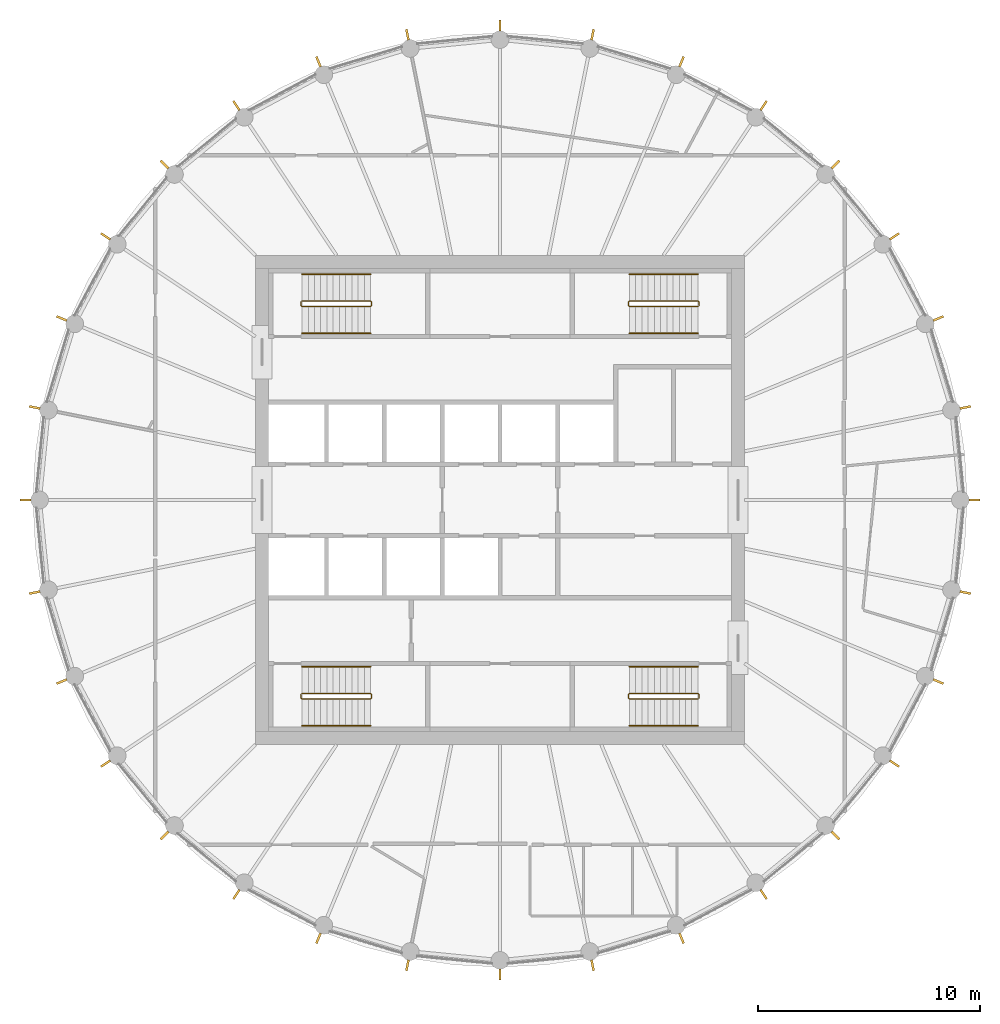
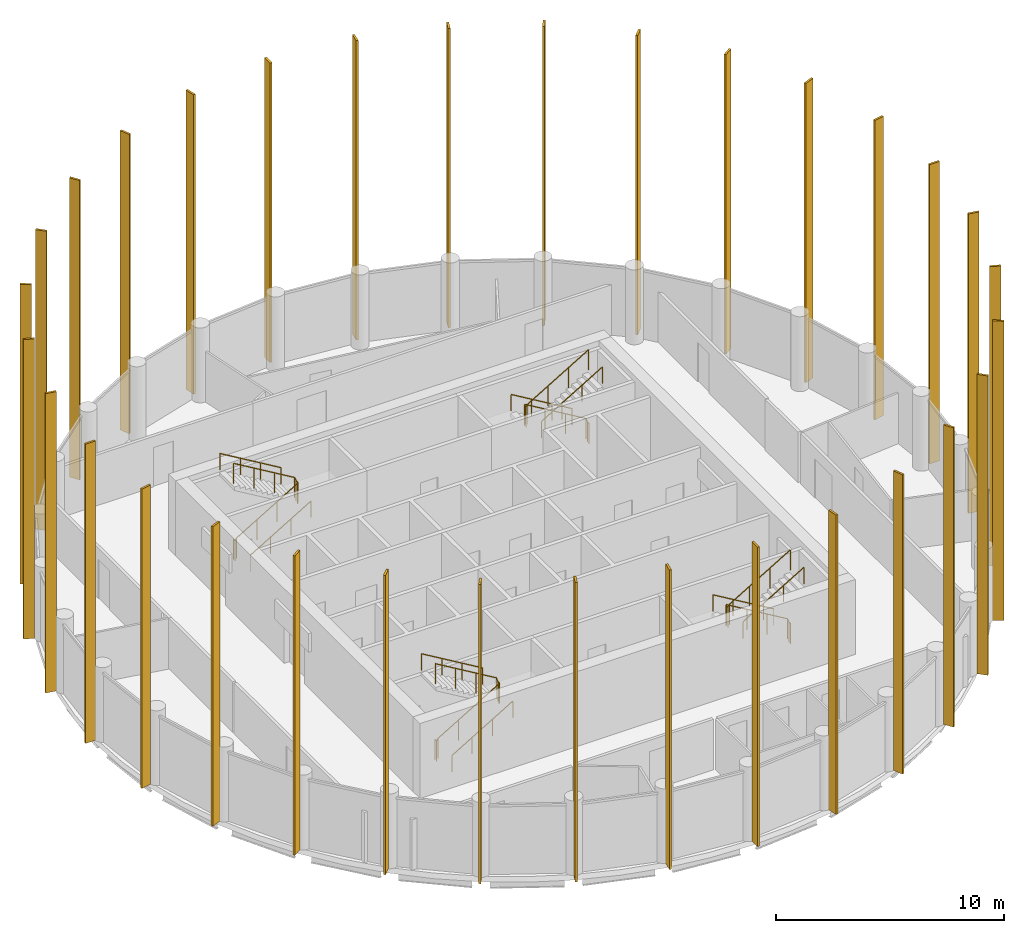
# One storey, part 7 of 7: 32 shading devices, 12 railings.
"""IFC4 building model written with IfcOpenShell, lengths in metres."""

from ifc_helpers import new_model, si_unit, direction, frame, origin, origin_2d, place, context, subcontext, project, spatial, rectangle, circle, extrude, material, material_profile, profile_set, type_object, element, save


model = new_model("IFC4")

# Units and contexts
model_context = context("Model", 3, precision=1e-05, world=origin(), true_north=direction((0.0, 1.0)))
body_context = subcontext(model_context, "Body", "Model", "MODEL_VIEW")
ifc_project = project(units=[si_unit("LENGTHUNIT", "METRE"), si_unit("AREAUNIT", "SQUARE_METRE"), si_unit("VOLUMEUNIT", "CUBIC_METRE"), si_unit("PLANEANGLEUNIT", "RADIAN"), si_unit("MASSUNIT", "GRAM", prefix="KILO")], contexts=[model_context])

# Site, building, storey
site_placement = place(None, origin())
site = spatial("IfcSite", under=ifc_project, at=site_placement, CompositionType="ELEMENT")
building_placement = place(site_placement, origin())
building = spatial("IfcBuilding", under=site, at=building_placement, Name="Corvane Civic Tower", CompositionType="ELEMENT")
storey_placement = place(building_placement, frame((0.0, 0.0, 340.5)))
storey = spatial("IfcBuildingStorey", under=building, at=storey_placement, Name="L81", CompositionType="ELEMENT", Elevation=340.5)

# Railings
ifc_material_1 = material(Name="Steel ASTM A572 Gr 50", Category="steel")
railing_type_1 = type_object("IfcRailingType", Name="ST-GUARD-1100", PredefinedType="GUARDRAIL", material=ifc_material_1)
railing_1_placement = place(storey_placement, frame((8.949951171875, 8.75, 0.0)))
element("IfcRailing", 1, at=railing_1_placement, inside=storey, type_object=railing_type_1, Name="L81 ST1 stair guard 1", PredefinedType="GUARDRAIL", context=body_context, shape_type="SweptSolid", body=[
    extrude(circle(Radius=0.02392578125, at=origin_2d()), frame((0.0, 0.0, 1.076171875), z_axis=(0.0, 1.0, 0.0), x_axis=(-1.0, 0.0, 0.0)), (0.0, 0.0, 1.0), 0.14990234375),
    extrude(circle(Radius=0.02392578125, at=origin_2d()), frame((0.0, 0.14990234375, 1.076171875), z_axis=(-0.27628659633, 0.27628659633, 0.920506074601), x_axis=(-0.707106781187, -0.707106781187, 0.0)), (0.0, 0.0, 1.0), 0.18115234375),
    extrude(circle(Radius=0.02392578125, at=origin_2d()), frame((-0.050048828125, 0.199951171875, 1.24267578125), z_axis=(-0.859290745958, 0.0, 0.51148745235), x_axis=(0.0, -1.0, 0.0)), (0.0, 0.0, 1.0), 3.584228515625),
    extrude(circle(Radius=0.02392578125, at=origin_2d()), frame((-3.1298828125, 0.199951171875, 3.076171875), z_axis=(-0.707106781187, -0.707106781187, 0.0), x_axis=(0.707106781187, -0.707106781187, 0.0)), (0.0, 0.0, 1.0), 0.07080078125),
    extrude(circle(Radius=0.02392578125, at=origin_2d()), frame((-3.179931640625, 0.14990234375, 3.076171875), z_axis=(0.0, -1.0, 0.0), x_axis=(1.0, 0.0, 0.0)), (0.0, 0.0, 1.0), 0.14990234375),
    extrude(circle(Radius=0.02392578125, at=origin_2d()), frame((-3.179931640625, 0.0, 3.076171875), z_axis=(0.27628659633, -0.27628659633, 0.920506074601), x_axis=(0.707106781187, 0.707106781187, 0.0)), (0.0, 0.0, 1.0), 0.18115234375),
    extrude(circle(Radius=0.02392578125, at=origin_2d()), frame((-3.1298828125, -0.050048828125, 3.24267578125), z_axis=(0.859290745958, 0.0, 0.51148745235), x_axis=(0.0, 1.0, 0.0)), (0.0, 0.0, 1.0), 3.584228515625),
    extrude(circle(Radius=0.02099609375, at=origin_2d()), origin(), (0.0, 0.0, 1.0), 1.052001953125),
    extrude(circle(Radius=0.02099609375, at=origin_2d()), frame((0.0, 0.14990234375, 0.0)), (0.0, 0.0, 1.0), 1.052001953125),
    extrude(circle(Radius=0.02099609375, at=origin_2d()), frame((-0.050048828125, 0.199951171875, 0.166748046875)), (0.0, 0.0, 1.0), 1.052001953125),
    extrude(circle(Radius=0.02099609375, at=origin_2d()), frame((-1.07666015625, 0.199951171875, 0.77783203125)), (0.0, 0.0, 1.0), 1.052001953125),
    extrude(circle(Radius=0.02099609375, at=origin_2d()), frame((-2.103271484375, 0.199951171875, 1.388916015625)), (0.0, 0.0, 1.0), 1.052001953125),
    extrude(circle(Radius=0.02099609375, at=origin_2d()), frame((-3.1298828125, 0.199951171875, 2.0)), (0.0, 0.0, 1.0), 1.052001953125),
    extrude(circle(Radius=0.02099609375, at=origin_2d()), frame((-3.179931640625, 0.14990234375, 2.0)), (0.0, 0.0, 1.0), 1.052001953125),
    extrude(circle(Radius=0.02099609375, at=origin_2d()), frame((-3.179931640625, 0.0, 2.0)), (0.0, 0.0, 1.0), 1.052001953125),
    extrude(circle(Radius=0.02099609375, at=origin_2d()), frame((-3.1298828125, -0.050048828125, 2.166748046875)), (0.0, 0.0, 1.0), 1.052001953125),
    extrude(circle(Radius=0.02099609375, at=origin_2d()), frame((-2.103271484375, -0.050048828125, 2.77783203125)), (0.0, 0.0, 1.0), 1.052001953125),
    extrude(circle(Radius=0.02099609375, at=origin_2d()), frame((-1.07666015625, -0.050048828125, 3.388916015625)), (0.0, 0.0, 1.0), 1.052001953125),
    extrude(circle(Radius=0.02099609375, at=origin_2d()), frame((-0.050048828125, -0.050048828125, 4.0)), (0.0, 0.0, 1.0), 1.052001953125),
])
railing_2_placement = place(storey_placement, frame((8.949951171875, -8.89990234375, 0.0)))
element("IfcRailing", 2, at=railing_2_placement, inside=storey, type_object=railing_type_1, Name="L81 ST2 stair guard 1", PredefinedType="GUARDRAIL", context=body_context, shape_type="SweptSolid", body=[
    extrude(circle(Radius=0.02392578125, at=origin_2d()), frame((0.0, 0.0, 1.076171875), z_axis=(0.0, 1.0, 0.0), x_axis=(-1.0, 0.0, 0.0)), (0.0, 0.0, 1.0), 0.14990234375),
    extrude(circle(Radius=0.02392578125, at=origin_2d()), frame((0.0, 0.14990234375, 1.076171875), z_axis=(-0.27628659633, 0.27628659633, 0.920506074601), x_axis=(-0.707106781187, -0.707106781187, 0.0)), (0.0, 0.0, 1.0), 0.18115234375),
    extrude(circle(Radius=0.02392578125, at=origin_2d()), frame((-0.050048828125, 0.199951171875, 1.24267578125), z_axis=(-0.859290745958, 0.0, 0.51148745235), x_axis=(0.0, -1.0, 0.0)), (0.0, 0.0, 1.0), 3.584228515625),
    extrude(circle(Radius=0.02392578125, at=origin_2d()), frame((-3.1298828125, 0.199951171875, 3.076171875), z_axis=(-0.707106781187, -0.707106781187, 0.0), x_axis=(0.707106781187, -0.707106781187, 0.0)), (0.0, 0.0, 1.0), 0.07080078125),
    extrude(circle(Radius=0.02392578125, at=origin_2d()), frame((-3.179931640625, 0.14990234375, 3.076171875), z_axis=(0.0, -1.0, 0.0), x_axis=(1.0, 0.0, 0.0)), (0.0, 0.0, 1.0), 0.14990234375),
    extrude(circle(Radius=0.02392578125, at=origin_2d()), frame((-3.179931640625, 0.0, 3.076171875), z_axis=(0.27628659633, -0.27628659633, 0.920506074601), x_axis=(0.707106781187, 0.707106781187, 0.0)), (0.0, 0.0, 1.0), 0.18115234375),
    extrude(circle(Radius=0.02392578125, at=origin_2d()), frame((-3.1298828125, -0.050048828125, 3.24267578125), z_axis=(0.859290745958, 0.0, 0.51148745235), x_axis=(0.0, 1.0, 0.0)), (0.0, 0.0, 1.0), 3.584228515625),
    extrude(circle(Radius=0.02099609375, at=origin_2d()), origin(), (0.0, 0.0, 1.0), 1.052001953125),
    extrude(circle(Radius=0.02099609375, at=origin_2d()), frame((0.0, 0.14990234375, 0.0)), (0.0, 0.0, 1.0), 1.052001953125),
    extrude(circle(Radius=0.02099609375, at=origin_2d()), frame((-0.050048828125, 0.199951171875, 0.166748046875)), (0.0, 0.0, 1.0), 1.052001953125),
    extrude(circle(Radius=0.02099609375, at=origin_2d()), frame((-1.07666015625, 0.199951171875, 0.77783203125)), (0.0, 0.0, 1.0), 1.052001953125),
    extrude(circle(Radius=0.02099609375, at=origin_2d()), frame((-2.103271484375, 0.199951171875, 1.388916015625)), (0.0, 0.0, 1.0), 1.052001953125),
    extrude(circle(Radius=0.02099609375, at=origin_2d()), frame((-3.1298828125, 0.199951171875, 2.0)), (0.0, 0.0, 1.0), 1.052001953125),
    extrude(circle(Radius=0.02099609375, at=origin_2d()), frame((-3.179931640625, 0.14990234375, 2.0)), (0.0, 0.0, 1.0), 1.052001953125),
    extrude(circle(Radius=0.02099609375, at=origin_2d()), frame((-3.179931640625, 0.0, 2.0)), (0.0, 0.0, 1.0), 1.052001953125),
    extrude(circle(Radius=0.02099609375, at=origin_2d()), frame((-3.1298828125, -0.050048828125, 2.166748046875)), (0.0, 0.0, 1.0), 1.052001953125),
    extrude(circle(Radius=0.02099609375, at=origin_2d()), frame((-2.103271484375, -0.050048828125, 2.77783203125)), (0.0, 0.0, 1.0), 1.052001953125),
    extrude(circle(Radius=0.02099609375, at=origin_2d()), frame((-1.07666015625, -0.050048828125, 3.388916015625)), (0.0, 0.0, 1.0), 1.052001953125),
    extrude(circle(Radius=0.02099609375, at=origin_2d()), frame((-0.050048828125, -0.050048828125, 4.0)), (0.0, 0.0, 1.0), 1.052001953125),
])
railing_3_placement = place(storey_placement, frame((-8.949951171875, -8.75, 0.0)))
element("IfcRailing", 3, at=railing_3_placement, inside=storey, type_object=railing_type_1, Name="L81 ST3 stair guard 1", PredefinedType="GUARDRAIL", context=body_context, shape_type="SweptSolid", body=[
    extrude(circle(Radius=0.02392578125, at=origin_2d()), frame((0.0, 0.0, 1.076171875), z_axis=(0.0, -1.0, 0.0), x_axis=(1.0, 0.0, 0.0)), (0.0, 0.0, 1.0), 0.14990234375),
    extrude(circle(Radius=0.02392578125, at=origin_2d()), frame((0.0, -0.14990234375, 1.076171875), z_axis=(0.27628659633, -0.27628659633, 0.920506074601), x_axis=(0.707106781187, 0.707106781187, 0.0)), (0.0, 0.0, 1.0), 0.18115234375),
    extrude(circle(Radius=0.02392578125, at=origin_2d()), frame((0.050048828125, -0.199951171875, 1.24267578125), z_axis=(0.859290745958, 0.0, 0.51148745235), x_axis=(0.0, 1.0, 0.0)), (0.0, 0.0, 1.0), 3.584228515625),
    extrude(circle(Radius=0.02392578125, at=origin_2d()), frame((3.1298828125, -0.199951171875, 3.076171875), z_axis=(0.707106781187, 0.707106781187, 0.0), x_axis=(-0.707106781187, 0.707106781187, 0.0)), (0.0, 0.0, 1.0), 0.07080078125),
    extrude(circle(Radius=0.02392578125, at=origin_2d()), frame((3.179931640625, -0.14990234375, 3.076171875), z_axis=(0.0, 1.0, 0.0), x_axis=(-1.0, 0.0, 0.0)), (0.0, 0.0, 1.0), 0.14990234375),
    extrude(circle(Radius=0.02392578125, at=origin_2d()), frame((3.179931640625, 0.0, 3.076171875), z_axis=(-0.27628659633, 0.27628659633, 0.920506074601), x_axis=(-0.707106781187, -0.707106781187, 0.0)), (0.0, 0.0, 1.0), 0.18115234375),
    extrude(circle(Radius=0.02392578125, at=origin_2d()), frame((3.1298828125, 0.050048828125, 3.24267578125), z_axis=(-0.859290745958, 0.0, 0.51148745235), x_axis=(0.0, -1.0, 0.0)), (0.0, 0.0, 1.0), 3.584228515625),
    extrude(circle(Radius=0.02099609375, at=origin_2d()), origin(), (0.0, 0.0, 1.0), 1.052001953125),
    extrude(circle(Radius=0.02099609375, at=origin_2d()), frame((0.0, -0.14990234375, 0.0)), (0.0, 0.0, 1.0), 1.052001953125),
    extrude(circle(Radius=0.02099609375, at=origin_2d()), frame((0.050048828125, -0.199951171875, 0.166748046875)), (0.0, 0.0, 1.0), 1.052001953125),
    extrude(circle(Radius=0.02099609375, at=origin_2d()), frame((1.07666015625, -0.199951171875, 0.77783203125)), (0.0, 0.0, 1.0), 1.052001953125),
    extrude(circle(Radius=0.02099609375, at=origin_2d()), frame((2.103271484375, -0.199951171875, 1.388916015625)), (0.0, 0.0, 1.0), 1.052001953125),
    extrude(circle(Radius=0.02099609375, at=origin_2d()), frame((3.1298828125, -0.199951171875, 2.0)), (0.0, 0.0, 1.0), 1.052001953125),
    extrude(circle(Radius=0.02099609375, at=origin_2d()), frame((3.179931640625, -0.14990234375, 2.0)), (0.0, 0.0, 1.0), 1.052001953125),
    extrude(circle(Radius=0.02099609375, at=origin_2d()), frame((3.179931640625, 0.0, 2.0)), (0.0, 0.0, 1.0), 1.052001953125),
    extrude(circle(Radius=0.02099609375, at=origin_2d()), frame((3.1298828125, 0.050048828125, 2.166748046875)), (0.0, 0.0, 1.0), 1.052001953125),
    extrude(circle(Radius=0.02099609375, at=origin_2d()), frame((2.103271484375, 0.050048828125, 2.77783203125)), (0.0, 0.0, 1.0), 1.052001953125),
    extrude(circle(Radius=0.02099609375, at=origin_2d()), frame((1.07666015625, 0.050048828125, 3.388916015625)), (0.0, 0.0, 1.0), 1.052001953125),
    extrude(circle(Radius=0.02099609375, at=origin_2d()), frame((0.050048828125, 0.050048828125, 4.0)), (0.0, 0.0, 1.0), 1.052001953125),
])
railing_4_placement = place(storey_placement, frame((-8.949951171875, 8.89990234375, 0.0)))
element("IfcRailing", 4, at=railing_4_placement, inside=storey, type_object=railing_type_1, Name="L81 ST4 stair guard 1", PredefinedType="GUARDRAIL", context=body_context, shape_type="SweptSolid", body=[
    extrude(circle(Radius=0.02392578125, at=origin_2d()), frame((0.0, 0.0, 1.076171875), z_axis=(0.0, -1.0, 0.0), x_axis=(1.0, 0.0, 0.0)), (0.0, 0.0, 1.0), 0.14990234375),
    extrude(circle(Radius=0.02392578125, at=origin_2d()), frame((0.0, -0.14990234375, 1.076171875), z_axis=(0.27628659633, -0.27628659633, 0.920506074601), x_axis=(0.707106781187, 0.707106781187, 0.0)), (0.0, 0.0, 1.0), 0.18115234375),
    extrude(circle(Radius=0.02392578125, at=origin_2d()), frame((0.050048828125, -0.199951171875, 1.24267578125), z_axis=(0.859290745958, 0.0, 0.51148745235), x_axis=(0.0, 1.0, 0.0)), (0.0, 0.0, 1.0), 3.584228515625),
    extrude(circle(Radius=0.02392578125, at=origin_2d()), frame((3.1298828125, -0.199951171875, 3.076171875), z_axis=(0.707106781187, 0.707106781187, 0.0), x_axis=(-0.707106781187, 0.707106781187, 0.0)), (0.0, 0.0, 1.0), 0.07080078125),
    extrude(circle(Radius=0.02392578125, at=origin_2d()), frame((3.179931640625, -0.14990234375, 3.076171875), z_axis=(0.0, 1.0, 0.0), x_axis=(-1.0, 0.0, 0.0)), (0.0, 0.0, 1.0), 0.14990234375),
    extrude(circle(Radius=0.02392578125, at=origin_2d()), frame((3.179931640625, 0.0, 3.076171875), z_axis=(-0.27628659633, 0.27628659633, 0.920506074601), x_axis=(-0.707106781187, -0.707106781187, 0.0)), (0.0, 0.0, 1.0), 0.18115234375),
    extrude(circle(Radius=0.02392578125, at=origin_2d()), frame((3.1298828125, 0.050048828125, 3.24267578125), z_axis=(-0.859290745958, 0.0, 0.51148745235), x_axis=(0.0, -1.0, 0.0)), (0.0, 0.0, 1.0), 3.584228515625),
    extrude(circle(Radius=0.02099609375, at=origin_2d()), origin(), (0.0, 0.0, 1.0), 1.052001953125),
    extrude(circle(Radius=0.02099609375, at=origin_2d()), frame((0.0, -0.14990234375, 0.0)), (0.0, 0.0, 1.0), 1.052001953125),
    extrude(circle(Radius=0.02099609375, at=origin_2d()), frame((0.050048828125, -0.199951171875, 0.166748046875)), (0.0, 0.0, 1.0), 1.052001953125),
    extrude(circle(Radius=0.02099609375, at=origin_2d()), frame((1.07666015625, -0.199951171875, 0.77783203125)), (0.0, 0.0, 1.0), 1.052001953125),
    extrude(circle(Radius=0.02099609375, at=origin_2d()), frame((2.103271484375, -0.199951171875, 1.388916015625)), (0.0, 0.0, 1.0), 1.052001953125),
    extrude(circle(Radius=0.02099609375, at=origin_2d()), frame((3.1298828125, -0.199951171875, 2.0)), (0.0, 0.0, 1.0), 1.052001953125),
    extrude(circle(Radius=0.02099609375, at=origin_2d()), frame((3.179931640625, -0.14990234375, 2.0)), (0.0, 0.0, 1.0), 1.052001953125),
    extrude(circle(Radius=0.02099609375, at=origin_2d()), frame((3.179931640625, 0.0, 2.0)), (0.0, 0.0, 1.0), 1.052001953125),
    extrude(circle(Radius=0.02099609375, at=origin_2d()), frame((3.1298828125, 0.050048828125, 2.166748046875)), (0.0, 0.0, 1.0), 1.052001953125),
    extrude(circle(Radius=0.02099609375, at=origin_2d()), frame((2.103271484375, 0.050048828125, 2.77783203125)), (0.0, 0.0, 1.0), 1.052001953125),
    extrude(circle(Radius=0.02099609375, at=origin_2d()), frame((1.07666015625, 0.050048828125, 3.388916015625)), (0.0, 0.0, 1.0), 1.052001953125),
    extrude(circle(Radius=0.02099609375, at=origin_2d()), frame((0.050048828125, 0.050048828125, 4.0)), (0.0, 0.0, 1.0), 1.052001953125),
])
ifc_material_2 = material(Name="Steel ASTM A572 Gr 50", Category="steel")
railing_type_2 = type_object("IfcRailingType", Name="ST-HANDRAIL-900", PredefinedType="HANDRAIL", material=ifc_material_2)
railing_5_placement = place(storey_placement, frame((8.89990234375, 10.14990234375, 0.166748046875)))
element("IfcRailing", 5, at=railing_5_placement, inside=storey, type_object=railing_type_2, Name="L81 ST1 stair handrail 1", PredefinedType="HANDRAIL", context=body_context, shape_type="SweptSolid", body=[
    extrude(circle(Radius=0.02392578125, at=origin_2d()), frame((0.0, 0.0, 0.8759765625), z_axis=(-0.859290745958, 0.0, 0.51148745235), x_axis=(0.0, -1.0, 0.0)), (0.0, 0.0, 1.0), 3.584228515625),
    extrude(circle(Radius=0.02099609375, at=origin_2d()), origin(), (0.0, 0.0, 1.0), 0.851806640625),
    extrude(circle(Radius=0.02099609375, at=origin_2d()), frame((-1.026611328125, 0.0, 0.611083984375)), (0.0, 0.0, 1.0), 0.851806640625),
    extrude(circle(Radius=0.02099609375, at=origin_2d()), frame((-2.05322265625, 0.0, 1.22216796875)), (0.0, 0.0, 1.0), 0.851806640625),
    extrude(circle(Radius=0.02099609375, at=origin_2d()), frame((-3.079833984375, 0.0, 1.833251953125)), (0.0, 0.0, 1.0), 0.851806640625),
])
railing_6_placement = place(storey_placement, frame((5.820068359375, 7.5, 2.166748046875)))
element("IfcRailing", 6, at=railing_6_placement, inside=storey, type_object=railing_type_2, Name="L81 ST1 stair handrail 2", PredefinedType="HANDRAIL", context=body_context, shape_type="SweptSolid", body=[
    extrude(circle(Radius=0.02392578125, at=origin_2d()), frame((0.0, 0.0, 0.8759765625), z_axis=(0.859290745958, 0.0, 0.51148745235), x_axis=(0.0, 1.0, 0.0)), (0.0, 0.0, 1.0), 3.584228515625),
    extrude(circle(Radius=0.02099609375, at=origin_2d()), origin(), (0.0, 0.0, 1.0), 0.851806640625),
    extrude(circle(Radius=0.02099609375, at=origin_2d()), frame((1.026611328125, 0.0, 0.611083984375)), (0.0, 0.0, 1.0), 0.851806640625),
    extrude(circle(Radius=0.02099609375, at=origin_2d()), frame((2.05322265625, 0.0, 1.22216796875)), (0.0, 0.0, 1.0), 0.851806640625),
    extrude(circle(Radius=0.02099609375, at=origin_2d()), frame((3.079833984375, 0.0, 1.833251953125)), (0.0, 0.0, 1.0), 0.851806640625),
])
railing_7_placement = place(storey_placement, frame((8.89990234375, -7.5, 0.166748046875)))
element("IfcRailing", 7, at=railing_7_placement, inside=storey, type_object=railing_type_2, Name="L81 ST2 stair handrail 1", PredefinedType="HANDRAIL", context=body_context, shape_type="SweptSolid", body=[
    extrude(circle(Radius=0.02392578125, at=origin_2d()), frame((0.0, 0.0, 0.8759765625), z_axis=(-0.859290745958, 0.0, 0.51148745235), x_axis=(0.0, -1.0, 0.0)), (0.0, 0.0, 1.0), 3.584228515625),
    extrude(circle(Radius=0.02099609375, at=origin_2d()), origin(), (0.0, 0.0, 1.0), 0.851806640625),
    extrude(circle(Radius=0.02099609375, at=origin_2d()), frame((-1.026611328125, 0.0, 0.611083984375)), (0.0, 0.0, 1.0), 0.851806640625),
    extrude(circle(Radius=0.02099609375, at=origin_2d()), frame((-2.05322265625, 0.0, 1.22216796875)), (0.0, 0.0, 1.0), 0.851806640625),
    extrude(circle(Radius=0.02099609375, at=origin_2d()), frame((-3.079833984375, 0.0, 1.833251953125)), (0.0, 0.0, 1.0), 0.851806640625),
])
for number, where, name in (
    (8, (5.820068359375, -10.14990234375, 2.166748046875), "L81 ST2 stair handrail 2"),
    (9, (-8.89990234375, -10.14990234375, 0.166748046875), "L81 ST3 stair handrail 1"),
):
    element("IfcRailing", number, at=place(storey_placement, frame(where)), inside=storey, type_object=railing_type_2, Name=name, PredefinedType="HANDRAIL", context=body_context, shape_type="SweptSolid", body=[
        extrude(circle(Radius=0.02392578125, at=origin_2d()), frame((0.0, 0.0, 0.8759765625), z_axis=(0.859290745958, 0.0, 0.51148745235), x_axis=(0.0, 1.0, 0.0)), (0.0, 0.0, 1.0), 3.584228515625),
        extrude(circle(Radius=0.02099609375, at=origin_2d()), origin(), (0.0, 0.0, 1.0), 0.851806640625),
        extrude(circle(Radius=0.02099609375, at=origin_2d()), frame((1.026611328125, 0.0, 0.611083984375)), (0.0, 0.0, 1.0), 0.851806640625),
        extrude(circle(Radius=0.02099609375, at=origin_2d()), frame((2.05322265625, 0.0, 1.22216796875)), (0.0, 0.0, 1.0), 0.851806640625),
        extrude(circle(Radius=0.02099609375, at=origin_2d()), frame((3.079833984375, 0.0, 1.833251953125)), (0.0, 0.0, 1.0), 0.851806640625),
    ])
railing_8_placement = place(storey_placement, frame((-5.820068359375, -7.5, 2.166748046875)))
element("IfcRailing", 10, at=railing_8_placement, inside=storey, type_object=railing_type_2, Name="L81 ST3 stair handrail 2", PredefinedType="HANDRAIL", context=body_context, shape_type="SweptSolid", body=[
    extrude(circle(Radius=0.02392578125, at=origin_2d()), frame((0.0, 0.0, 0.8759765625), z_axis=(-0.859290745958, 0.0, 0.51148745235), x_axis=(0.0, -1.0, 0.0)), (0.0, 0.0, 1.0), 3.584228515625),
    extrude(circle(Radius=0.02099609375, at=origin_2d()), origin(), (0.0, 0.0, 1.0), 0.851806640625),
    extrude(circle(Radius=0.02099609375, at=origin_2d()), frame((-1.026611328125, 0.0, 0.611083984375)), (0.0, 0.0, 1.0), 0.851806640625),
    extrude(circle(Radius=0.02099609375, at=origin_2d()), frame((-2.05322265625, 0.0, 1.22216796875)), (0.0, 0.0, 1.0), 0.851806640625),
    extrude(circle(Radius=0.02099609375, at=origin_2d()), frame((-3.079833984375, 0.0, 1.833251953125)), (0.0, 0.0, 1.0), 0.851806640625),
])
railing_9_placement = place(storey_placement, frame((-8.89990234375, 7.5, 0.166748046875)))
element("IfcRailing", 11, at=railing_9_placement, inside=storey, type_object=railing_type_2, Name="L81 ST4 stair handrail 1", PredefinedType="HANDRAIL", context=body_context, shape_type="SweptSolid", body=[
    extrude(circle(Radius=0.02392578125, at=origin_2d()), frame((0.0, 0.0, 0.8759765625), z_axis=(0.859290745958, 0.0, 0.51148745235), x_axis=(0.0, 1.0, 0.0)), (0.0, 0.0, 1.0), 3.584228515625),
    extrude(circle(Radius=0.02099609375, at=origin_2d()), origin(), (0.0, 0.0, 1.0), 0.851806640625),
    extrude(circle(Radius=0.02099609375, at=origin_2d()), frame((1.026611328125, 0.0, 0.611083984375)), (0.0, 0.0, 1.0), 0.851806640625),
    extrude(circle(Radius=0.02099609375, at=origin_2d()), frame((2.05322265625, 0.0, 1.22216796875)), (0.0, 0.0, 1.0), 0.851806640625),
    extrude(circle(Radius=0.02099609375, at=origin_2d()), frame((3.079833984375, 0.0, 1.833251953125)), (0.0, 0.0, 1.0), 0.851806640625),
])
railing_10_placement = place(storey_placement, frame((-5.820068359375, 10.14990234375, 2.166748046875)))
element("IfcRailing", 12, at=railing_10_placement, inside=storey, type_object=railing_type_2, Name="L81 ST4 stair handrail 2", PredefinedType="HANDRAIL", context=body_context, shape_type="SweptSolid", body=[
    extrude(circle(Radius=0.02392578125, at=origin_2d()), frame((0.0, 0.0, 0.8759765625), z_axis=(-0.859290745958, 0.0, 0.51148745235), x_axis=(0.0, -1.0, 0.0)), (0.0, 0.0, 1.0), 3.584228515625),
    extrude(circle(Radius=0.02099609375, at=origin_2d()), origin(), (0.0, 0.0, 1.0), 0.851806640625),
    extrude(circle(Radius=0.02099609375, at=origin_2d()), frame((-1.026611328125, 0.0, 0.611083984375)), (0.0, 0.0, 1.0), 0.851806640625),
    extrude(circle(Radius=0.02099609375, at=origin_2d()), frame((-2.05322265625, 0.0, 1.22216796875)), (0.0, 0.0, 1.0), 0.851806640625),
    extrude(circle(Radius=0.02099609375, at=origin_2d()), frame((-3.079833984375, 0.0, 1.833251953125)), (0.0, 0.0, 1.0), 0.851806640625),
])

# Shading devices
ifc_material_3 = material(Name="Anodised aluminium bronze", Category="aluminium")
ifc_material_profile = material_profile(ifc_material_3, rectangle(XDim=0.10009765625, YDim=0.5, at=origin_2d()), Name="TOWER FIN STACK 100x500 BRONZE")
ifc_profile_set = profile_set([ifc_material_profile], Name="Anodised aluminium bronze")
shading_device_type = type_object("IfcShadingDeviceType", Name="TOWER FIN STACK 100x500 BRONZE", PredefinedType="USERDEFINED", material=ifc_profile_set)
for number, where, z_axis, x_axis, name in (
    (13, (0.0, 21.330078125, 0.0), (0.0, 0.0, 1.0), (1.0, 0.0, 0.0), "Fin 01 L81 to L84"),
    (14, (4.161376953125, 20.920166015625, 0.0), (0.0, 0.0, 1.0), (0.980785280403, -0.195090322016, 0.0), "Fin 02 L81 to L84"),
    (15, (8.16259765625, 19.706298828125, 0.0), (0.0, 0.0, 1.0), (0.923879532511, -0.382683432365, 0.0), "Fin 03 L81 to L84"),
    (16, (11.850341796875, 17.7353515625, 0.0), (0.0, 0.0, 1.0), (0.831469612303, -0.55557023302, 0.0), "Fin 04 L81 to L84"),
    (17, (15.08251953125, 15.08251953125, 0.0), (0.0, 0.0, 1.0), (0.707106781187, -0.707106781187, 0.0), "Fin 05 L81 to L84"),
    (18, (17.7353515625, 11.850341796875, 0.0), (0.0, 0.0, 1.0), (0.55557023302, -0.831469612303, 0.0), "Fin 06 L81 to L84"),
    (19, (19.706298828125, 8.16259765625, 0.0), (0.0, 0.0, 1.0), (0.382683432365, -0.923879532511, 0.0), "Fin 07 L81 to L84"),
    (20, (20.920166015625, 4.161376953125, 0.0), (0.0, 0.0, 1.0), (0.195090322016, -0.980785280403, 0.0), "Fin 08 L81 to L84"),
    (21, (21.330078125, 0.0, 0.0), (0.0, 0.0, 1.0), (0.0, -1.0, 0.0), "Fin 09 L81 to L84"),
    (22, (20.920166015625, -4.161376953125, 0.0), (0.0, 0.0, 1.0), (-0.195090322016, -0.980785280403, 0.0), "Fin 10 L81 to L84"),
    (23, (19.706298828125, -8.16259765625, 0.0), (0.0, 0.0, 1.0), (-0.382683432365, -0.923879532511, 0.0), "Fin 11 L81 to L84"),
    (24, (17.7353515625, -11.850341796875, 0.0), (0.0, 0.0, 1.0), (-0.55557023302, -0.831469612303, 0.0), "Fin 12 L81 to L84"),
    (25, (15.08251953125, -15.08251953125, 0.0), (0.0, 0.0, 1.0), (-0.707106781187, -0.707106781187, 0.0), "Fin 13 L81 to L84"),
    (26, (11.850341796875, -17.7353515625, 0.0), (0.0, 0.0, 1.0), (-0.831469612303, -0.55557023302, 0.0), "Fin 14 L81 to L84"),
    (27, (8.16259765625, -19.706298828125, 0.0), (0.0, 0.0, 1.0), (-0.923879532511, -0.382683432365, 0.0), "Fin 15 L81 to L84"),
    (28, (4.161376953125, -20.920166015625, 0.0), (0.0, 0.0, 1.0), (-0.980785280403, -0.195090322016, 0.0), "Fin 16 L81 to L84"),
    (29, (0.0, -21.330078125, 0.0), (0.0, 0.0, 1.0), (-1.0, 0.0, 0.0), "Fin 17 L81 to L84"),
    (30, (-4.161376953125, -20.920166015625, 0.0), (0.0, 0.0, 1.0), (-0.980785280403, 0.195090322016, 0.0), "Fin 18 L81 to L84"),
    (31, (-8.16259765625, -19.706298828125, 0.0), (0.0, 0.0, 1.0), (-0.923879532511, 0.382683432365, 0.0), "Fin 19 L81 to L84"),
    (32, (-11.850341796875, -17.7353515625, 0.0), (0.0, 0.0, 1.0), (-0.831469612303, 0.55557023302, 0.0), "Fin 20 L81 to L84"),
    (33, (-15.08251953125, -15.08251953125, 0.0), (0.0, 0.0, 1.0), (-0.707106781187, 0.707106781187, 0.0), "Fin 21 L81 to L84"),
    (34, (-17.7353515625, -11.850341796875, 0.0), (0.0, 0.0, 1.0), (-0.55557023302, 0.831469612303, 0.0), "Fin 22 L81 to L84"),
    (35, (-19.706298828125, -8.16259765625, 0.0), (0.0, 0.0, 1.0), (-0.382683432365, 0.923879532511, 0.0), "Fin 23 L81 to L84"),
    (36, (-20.920166015625, -4.161376953125, 0.0), (0.0, 0.0, 1.0), (-0.195090322016, 0.980785280403, 0.0), "Fin 24 L81 to L84"),
    (37, (-21.330078125, 0.0, 0.0), (0.0, 0.0, 1.0), (0.0, 1.0, 0.0), "Fin 25 L81 to L84"),
    (38, (-20.920166015625, 4.161376953125, 0.0), (0.0, 0.0, 1.0), (0.195090322016, 0.980785280403, 0.0), "Fin 26 L81 to L84"),
    (39, (-19.706298828125, 8.16259765625, 0.0), (0.0, 0.0, 1.0), (0.382683432365, 0.923879532511, 0.0), "Fin 27 L81 to L84"),
    (40, (-17.7353515625, 11.850341796875, 0.0), (0.0, 0.0, 1.0), (0.55557023302, 0.831469612303, 0.0), "Fin 28 L81 to L84"),
    (41, (-15.08251953125, 15.08251953125, 0.0), (0.0, 0.0, 1.0), (0.707106781187, 0.707106781187, 0.0), "Fin 29 L81 to L84"),
    (42, (-11.850341796875, 17.7353515625, 0.0), (0.0, 0.0, 1.0), (0.831469612303, 0.55557023302, 0.0), "Fin 30 L81 to L84"),
    (43, (-8.16259765625, 19.706298828125, 0.0), (0.0, 0.0, 1.0), (0.923879532511, 0.382683432365, 0.0), "Fin 31 L81 to L84"),
    (44, (-4.161376953125, 20.920166015625, 0.0), (0.0, 0.0, 1.0), (0.980785280403, 0.195090322016, 0.0), "Fin 32 L81 to L84"),
):
    element("IfcShadingDevice", number, at=place(storey_placement, frame(where, z_axis=z_axis, x_axis=x_axis)), inside=storey, type_object=shading_device_type, Name=name, ObjectType="FIN", PredefinedType="USERDEFINED", context=body_context, shape_type="SweptSolid", body=[
        extrude(rectangle(XDim=0.10009765625, YDim=0.5, at=origin_2d()), origin(), (0.0, 0.0, 1.0), 16.0),
    ])

save(model, "model.ifc")
